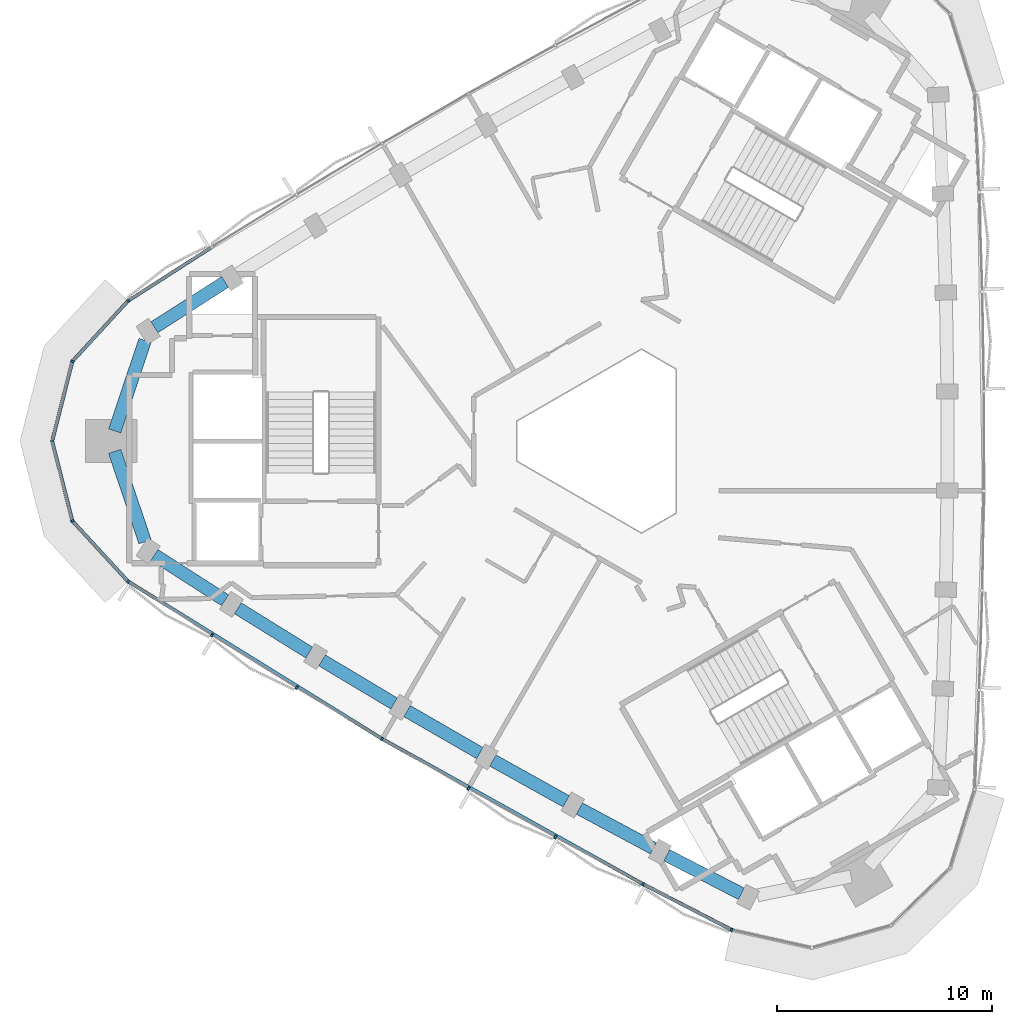
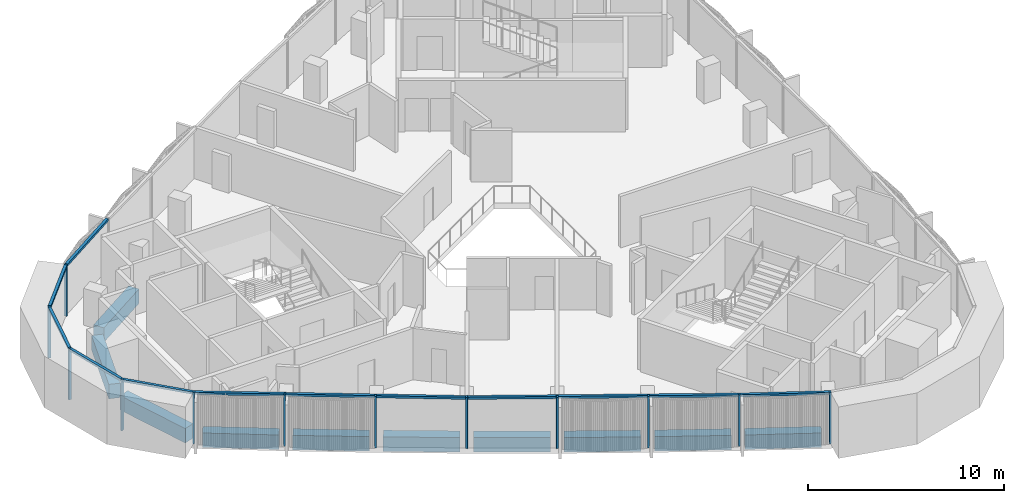
# One storey, part 2 of 13: 20 members, 10 beams, 2 elements without a shape of their own.
"""IFC4 building model written with IfcOpenShell, lengths in metres."""

from ifc_helpers import new_model, si_unit, direction, frame, origin, origin_2d, place, context, subcontext, project, spatial, rectangle, extrude, material, material_profile, profile_set, type_object, element, aggregate, save


model = new_model("IFC4")

# Units and contexts
model_context = context("Model", 3, precision=1e-05, world=origin(), true_north=direction((0.0, 1.0)))
body_context = subcontext(model_context, "Body", "Model", "MODEL_VIEW")
ifc_project = project(units=[si_unit("LENGTHUNIT", "METRE"), si_unit("AREAUNIT", "SQUARE_METRE"), si_unit("VOLUMEUNIT", "CUBIC_METRE"), si_unit("PLANEANGLEUNIT", "RADIAN"), si_unit("MASSUNIT", "GRAM", prefix="KILO")], contexts=[model_context])

# Site, building, storey
site_placement = place(None, origin())
site = spatial("IfcSite", under=ifc_project, at=site_placement, CompositionType="ELEMENT")
building_placement = place(site_placement, origin())
building = spatial("IfcBuilding", under=site, at=building_placement, Name="Tamra Quay Hotel Tower", CompositionType="ELEMENT")
storey_placement = place(building_placement, frame((0.0, 0.0, 298.199951171875)))
storey = spatial("IfcBuildingStorey", under=building, at=storey_placement, Name="L75", CompositionType="ELEMENT", Elevation=298.199951171875)

# Curtain wall, members
ifc_material_1 = material(Name="Aluminium 6063 anodised dark grey", Category="aluminium")
curtain_wall_type_1 = type_object("IfcCurtainWallType", Name="CW2 CURTAIN WALL", PredefinedType="NOTDEFINED", material=ifc_material_1)
curtain_wall_1_placement = place(storey_placement, origin())
curtain_wall_1 = element("IfcCurtainWall", 1, at=curtain_wall_1_placement, inside=storey, type_object=curtain_wall_type_1, Name="CW2 north-west face L75", PredefinedType="NOTDEFINED")
ifc_material_profile_1 = material_profile(ifc_material_1, rectangle(XDim=0.159912109375, YDim=0.10009765625, at=origin_2d()), Name="MULLION 100X160")
ifc_profile_set_1 = profile_set([ifc_material_profile_1], Name="Aluminium 6063 anodised dark grey")
member_type_1 = type_object("IfcMemberType", Name="MULLION CW2 Z6", PredefinedType="MULLION", material=ifc_profile_set_1)
member_1_placement = place(storey_placement, frame((-22.488525390625, 6.530517578125, 0.0), z_axis=(0.0, 0.0, 1.0), x_axis=(-0.643086474198, 0.765793566638, 0.0)))
member_1 = element("IfcMember", 2, at=member_1_placement, type_object=member_type_1, Name="CW2 mullion L75.NW.8", PredefinedType="MULLION", context=body_context, shape_type="SweptSolid", body=[
    extrude(rectangle(XDim=0.159912109375, YDim=0.10009765625, at=origin_2d()), origin(), (0.0, 0.0, 1.0), 3.199951171875),
])
member_2_placement = place(storey_placement, frame((-25.0830078125, 3.712890625, 0.0), z_axis=(0.0, 0.0, 1.0), x_axis=(-0.879433050093, 0.476022594427, 0.0)))
member_2 = element("IfcMember", 3, at=member_2_placement, type_object=member_type_1, Name="CW2 mullion L75.NW.9", PredefinedType="MULLION", context=body_context, shape_type="SweptSolid", body=[
    extrude(rectangle(XDim=0.159912109375, YDim=0.10009765625, at=origin_2d()), origin(), (0.0, 0.0, 1.0), 3.199951171875),
])
member_3_placement = place(storey_placement, frame((-26.0234375, 0.0, 0.0), z_axis=(0.0, 0.0, 1.0), x_axis=(-1.0, 0.0, 0.0)))
member_3 = element("IfcMember", 4, at=member_3_placement, type_object=member_type_1, Name="CW2 mullion L75.NW.10", PredefinedType="MULLION", context=body_context, shape_type="SweptSolid", body=[
    extrude(rectangle(XDim=0.159912109375, YDim=0.10009765625, at=origin_2d()), origin(), (0.0, 0.0, 1.0), 3.199951171875),
])
member_4_placement = place(storey_placement, frame((-25.0830078125, -3.712890625, 0.0), z_axis=(0.0, 0.0, 1.0), x_axis=(-0.879433050093, -0.476022594427, 0.0)))
member_4 = element("IfcMember", 5, at=member_4_placement, type_object=member_type_1, Name="CW2 mullion L75.NW.11", PredefinedType="MULLION", context=body_context, shape_type="SweptSolid", body=[
    extrude(rectangle(XDim=0.159912109375, YDim=0.10009765625, at=origin_2d()), origin(), (0.0, 0.0, 1.0), 3.199951171875),
])

curtain_wall_type_2 = type_object("IfcCurtainWallType", Name="CW3 CURTAIN WALL", PredefinedType="NOTDEFINED", material=ifc_material_1)
curtain_wall_2_placement = place(storey_placement, origin())
curtain_wall_2 = element("IfcCurtainWall", 6, at=curtain_wall_2_placement, inside=storey, type_object=curtain_wall_type_2, Name="CW3 south-west face L75", PredefinedType="NOTDEFINED")
ifc_material_profile_2 = material_profile(ifc_material_1, rectangle(XDim=0.159912109375, YDim=0.10009765625, at=origin_2d()), Name="MULLION 100X160")
ifc_profile_set_2 = profile_set([ifc_material_profile_2], Name="Aluminium 6063 anodised dark grey")
member_type_2 = type_object("IfcMemberType", Name="MULLION CW3 Z6", PredefinedType="MULLION", material=ifc_profile_set_2)
member_5_placement = place(storey_placement, frame((-22.488525390625, -6.530517578125, 0.0), z_axis=(0.0, 0.0, 1.0), x_axis=(-0.643086474198, -0.765793566638, 0.0)))
member_5 = element("IfcMember", 7, at=member_5_placement, type_object=member_type_2, Name="CW3 mullion L75.SW.1", PredefinedType="MULLION", context=body_context, shape_type="SweptSolid", body=[
    extrude(rectangle(XDim=0.159912109375, YDim=0.10009765625, at=origin_2d()), origin(), (0.0, 0.0, 1.0), 3.199951171875),
])
member_6_placement = place(storey_placement, frame((-18.587890625, -9.033203125, 0.0), z_axis=(0.0, 0.0, 1.0), x_axis=(-0.533422294029, -0.845849074146, 0.0)))
member_6 = element("IfcMember", 8, at=member_6_placement, type_object=member_type_2, Name="CW3 mullion L75.SW.2", PredefinedType="MULLION", context=body_context, shape_type="SweptSolid", body=[
    extrude(rectangle(XDim=0.159912109375, YDim=0.10009765625, at=origin_2d()), origin(), (0.0, 0.0, 1.0), 3.199951171875),
])
member_7_placement = place(storey_placement, frame((-14.64990234375, -11.473876953125, 0.0), z_axis=(0.0, 0.0, 1.0), x_axis=(-0.520160390508, -0.854068596862, 0.0)))
member_7 = element("IfcMember", 9, at=member_7_placement, type_object=member_type_2, Name="CW3 mullion L75.SW.3", PredefinedType="MULLION", context=body_context, shape_type="SweptSolid", body=[
    extrude(rectangle(XDim=0.159912109375, YDim=0.10009765625, at=origin_2d()), origin(), (0.0, 0.0, 1.0), 3.199951171875),
])
member_8_placement = place(storey_placement, frame((-10.673583984375, -13.853271484375, 0.0), z_axis=(0.0, 0.0, 1.0), x_axis=(-0.506753957891, -0.862090729658, 0.0)))
member_8 = element("IfcMember", 10, at=member_8_placement, type_object=member_type_2, Name="CW3 mullion L75.SW.4", PredefinedType="MULLION", context=body_context, shape_type="SweptSolid", body=[
    extrude(rectangle(XDim=0.159912109375, YDim=0.10009765625, at=origin_2d()), origin(), (0.0, 0.0, 1.0), 3.199951171875),
])
member_9_placement = place(storey_placement, frame((-6.660400390625, -16.170166015625, 0.0), z_axis=(0.0, 0.0, 1.0), x_axis=(-0.493215493305, -0.869907165831, 0.0)))
member_9 = element("IfcMember", 11, at=member_9_placement, type_object=member_type_2, Name="CW3 mullion L75.SW.5", PredefinedType="MULLION", context=body_context, shape_type="SweptSolid", body=[
    extrude(rectangle(XDim=0.159912109375, YDim=0.10009765625, at=origin_2d()), origin(), (0.0, 0.0, 1.0), 3.199951171875),
])
member_10_placement = place(storey_placement, frame((-2.611572265625, -18.424072265625, 0.0), z_axis=(0.0, 0.0, 1.0), x_axis=(-0.479564906203, -0.877506410654, 0.0)))
member_10 = element("IfcMember", 12, at=member_10_placement, type_object=member_type_2, Name="CW3 mullion L75.SW.6", PredefinedType="MULLION", context=body_context, shape_type="SweptSolid", body=[
    extrude(rectangle(XDim=0.159912109375, YDim=0.10009765625, at=origin_2d()), origin(), (0.0, 0.0, 1.0), 3.199951171875),
])
member_11_placement = place(storey_placement, frame((1.470947265625, -20.6142578125, 0.0), z_axis=(0.0, 0.0, 1.0), x_axis=(-0.465815638963, -0.884881794647, 0.0)))
member_11 = element("IfcMember", 13, at=member_11_placement, type_object=member_type_2, Name="CW3 mullion L75.SW.7", PredefinedType="MULLION", context=body_context, shape_type="SweptSolid", body=[
    extrude(rectangle(XDim=0.159912109375, YDim=0.10009765625, at=origin_2d()), origin(), (0.0, 0.0, 1.0), 3.199951171875),
])
member_12_placement = place(storey_placement, frame((5.588623046875, -22.740966796875, 0.0), z_axis=(0.0, 0.0, 1.0), x_axis=(-0.341653445664, -0.939826006804, 0.0)))
member_12 = element("IfcMember", 14, at=member_12_placement, type_object=member_type_2, Name="CW3 mullion L75.SW.8", PredefinedType="MULLION", context=body_context, shape_type="SweptSolid", body=[
    extrude(rectangle(XDim=0.159912109375, YDim=0.10009765625, at=origin_2d()), origin(), (0.0, 0.0, 1.0), 3.199951171875),
])

# Beams
ifc_material_2 = material(Name="Concrete M60", Category="concrete")
ifc_material_profile_3 = material_profile(ifc_material_2, rectangle(XDim=0.60009765625, YDim=0.89990234375, at=origin_2d()), Name="SPANDREL BEAM RC 600x900")
ifc_profile_set_3 = profile_set([ifc_material_profile_3], Name="Concrete M60")
beam_type = type_object("IfcBeamType", Name="SPANDREL BEAM RC 600x900", PredefinedType="SPANDREL", material=ifc_profile_set_3)
beam_1_placement = place(storey_placement, frame((-17.97607421875, 7.406005859375, -0.800048828125), z_axis=(-0.841679613882, -0.539977247276, 0.0), x_axis=(0.539977247276, -0.841679613882, 0.0)))
element("IfcBeam", 15, at=beam_1_placement, inside=storey, type_object=beam_type, Name="BM-SP6-015-L75", PredefinedType="SPANDREL", context=body_context, shape_type="SweptSolid", body=[
    extrude(rectangle(XDim=0.60009765625, YDim=0.89990234375, at=origin_2d()), origin(), (0.0, 0.0, 1.0), 3.906982421875),
])
for number, where, z_axis, x_axis, name in (
    (16, (-21.70068359375, 4.6845703125, -0.800048828125), (-0.318271531925, -0.947999594919, 0.0), (0.947999594919, -0.318271531925, 0.0), "BM-SP6-016-L75"),
    (17, (-23.114501953125, -0.473388671875, -0.800048828125), (0.318271531925, -0.947999594919, 0.0), (0.947999594919, 0.318271531925, 0.0), "BM-SP6-017-L75"),
):
    element("IfcBeam", number, at=place(storey_placement, frame(where, z_axis=z_axis, x_axis=x_axis)), inside=storey, type_object=beam_type, Name=name, PredefinedType="SPANDREL", context=body_context, shape_type="SweptSolid", body=[
        extrude(rectangle(XDim=0.60009765625, YDim=0.89990234375, at=origin_2d()), origin(), (0.0, 0.0, 1.0), 4.442138671875),
    ])
beam_2_placement = place(storey_placement, frame((-21.264404296875, -5.29638671875, -0.800048828125), z_axis=(0.841679613882, -0.539977247276, 0.0), x_axis=(0.539977247276, 0.841679613882, 0.0)))
element("IfcBeam", 18, at=beam_2_placement, inside=storey, type_object=beam_type, Name="BM-SP6-018-L75", PredefinedType="SPANDREL", context=body_context, shape_type="SweptSolid", body=[
    extrude(rectangle(XDim=0.60009765625, YDim=0.89990234375, at=origin_2d()), origin(), (0.0, 0.0, 1.0), 3.906982421875),
])
beam_3_placement = place(storey_placement, frame((-17.384033203125, -7.779296875, -0.800048828125), z_axis=(0.849972078006, -0.526827739029, 0.0), x_axis=(0.526827739029, 0.849972078006, 0.0)))
element("IfcBeam", 19, at=beam_3_placement, inside=storey, type_object=beam_type, Name="BM-SP6-019-L75", PredefinedType="SPANDREL", context=body_context, shape_type="SweptSolid", body=[
    extrude(rectangle(XDim=0.60009765625, YDim=0.89990234375, at=origin_2d()), origin(), (0.0, 0.0, 1.0), 3.907470703125),
])
beam_4_placement = place(storey_placement, frame((-13.465087890625, -10.201904296875, -0.800048828125), z_axis=(0.858120821909, -0.513447811376, 0.0), x_axis=(0.513447811376, 0.858120821909, 0.0)))
element("IfcBeam", 20, at=beam_4_placement, inside=storey, type_object=beam_type, Name="BM-SP6-020-L75", PredefinedType="SPANDREL", context=body_context, shape_type="SweptSolid", body=[
    extrude(rectangle(XDim=0.60009765625, YDim=0.89990234375, at=origin_2d()), origin(), (0.0, 0.0, 1.0), 3.9072265625),
])
for number, where, z_axis, x_axis, name in (
    (21, (-9.5087890625, -12.562744140625, -0.800048828125), (0.866011803689, -0.500023555316, 0.0), (0.500023555316, 0.866011803689, 0.0), "BM-SP6-021-L75"),
    (22, (-5.516357421875, -14.861572265625, -0.800048828125), (0.873726581477, -0.486417373066, 0.0), (0.486417373066, 0.873726581477, 0.0), "BM-SP6-022-L75"),
):
    element("IfcBeam", number, at=place(storey_placement, frame(where, z_axis=z_axis, x_axis=x_axis)), inside=storey, type_object=beam_type, Name=name, PredefinedType="SPANDREL", context=body_context, shape_type="SweptSolid", body=[
        extrude(rectangle(XDim=0.60009765625, YDim=0.89990234375, at=origin_2d()), origin(), (0.0, 0.0, 1.0), 3.906982421875),
    ])
beam_5_placement = place(storey_placement, frame((-1.488525390625, -17.09765625, -0.800048828125), z_axis=(0.88123835064, -0.472672158437, 0.0), x_axis=(0.472672158437, 0.88123835064, 0.0)))
element("IfcBeam", 23, at=beam_5_placement, inside=storey, type_object=beam_type, Name="BM-SP6-023-L75", PredefinedType="SPANDREL", context=body_context, shape_type="SweptSolid", body=[
    extrude(rectangle(XDim=0.60009765625, YDim=0.89990234375, at=origin_2d()), origin(), (0.0, 0.0, 1.0), 3.907470703125),
])
beam_6_placement = place(storey_placement, frame((2.57421875, -19.270751953125, -0.800048828125), z_axis=(0.888476019227, -0.458923047208, 0.0), x_axis=(0.458923047208, 0.888476019227, 0.0)))
element("IfcBeam", 24, at=beam_6_placement, inside=storey, type_object=beam_type, Name="BM-SP6-024-L75", PredefinedType="SPANDREL", context=body_context, shape_type="SweptSolid", body=[
    extrude(rectangle(XDim=0.60009765625, YDim=0.89990234375, at=origin_2d()), origin(), (0.0, 0.0, 1.0), 3.906982421875),
])

# Member
ifc_material_profile_4 = material_profile(ifc_material_1, rectangle(XDim=0.159912109375, YDim=0.139892578125, at=origin_2d()), Name="TRANSOM 160X140")
ifc_profile_set_4 = profile_set([ifc_material_profile_4], Name="Aluminium 6063 anodised dark grey")
member_type_3 = type_object("IfcMemberType", Name="TRANSOM CW2 Z6", PredefinedType="USERDEFINED", material=ifc_profile_set_4)
member_13_placement = place(storey_placement, frame((-18.6298828125, 9.006103515625, 3.130126953125), z_axis=(-0.841671458023, -0.539989959859, 0.0), x_axis=(0.539989959859, -0.841671458023, 0.0)))
member_13 = element("IfcMember", 25, at=member_13_placement, type_object=member_type_3, Name="CW2 transom L75.NW.7", ObjectType="TRANSOM", PredefinedType="USERDEFINED", context=body_context, shape_type="SweptSolid", body=[
    extrude(rectangle(XDim=0.159912109375, YDim=0.139892578125, at=origin_2d()), origin(), (0.0, 0.0, 1.0), 4.534423828125),
])

member_14_placement = place(storey_placement, frame((-22.522216796875, 6.493896484375, 3.130126953125), z_axis=(-0.677382568032, -0.735630924123, 0.0), x_axis=(0.735630924123, -0.677382568032, 0.0)))
member_14 = element("IfcMember", 26, at=member_14_placement, type_object=member_type_3, Name="CW2 transom L75.NW.8", ObjectType="TRANSOM", PredefinedType="USERDEFINED", context=body_context, shape_type="SweptSolid", body=[
    extrude(rectangle(XDim=0.159912109375, YDim=0.139892578125, at=origin_2d()), origin(), (0.0, 0.0, 1.0), 3.730224609375),
])

member_15_placement = place(storey_placement, frame((-25.09521484375, 3.66455078125, 3.130126953125), z_axis=(-0.245506732561, -0.96939488562, 0.0), x_axis=(0.96939488562, -0.245506732561, 0.0)))
member_15 = element("IfcMember", 27, at=member_15_placement, type_object=member_type_3, Name="CW2 transom L75.NW.9", ObjectType="TRANSOM", PredefinedType="USERDEFINED", context=body_context, shape_type="SweptSolid", body=[
    extrude(rectangle(XDim=0.159912109375, YDim=0.139892578125, at=origin_2d()), origin(), (0.0, 0.0, 1.0), 3.730224609375),
])

member_16_placement = place(storey_placement, frame((-26.010986328125, -0.048583984375, 3.130126953125), z_axis=(0.245506732561, -0.96939488562, 0.0), x_axis=(0.96939488562, 0.245506732561, 0.0)))
member_16 = element("IfcMember", 28, at=member_16_placement, type_object=member_type_3, Name="CW2 transom L75.NW.10", ObjectType="TRANSOM", PredefinedType="USERDEFINED", context=body_context, shape_type="SweptSolid", body=[
    extrude(rectangle(XDim=0.159912109375, YDim=0.139892578125, at=origin_2d()), origin(), (0.0, 0.0, 1.0), 3.730224609375),
])

member_17_placement = place(storey_placement, frame((-25.049072265625, -3.749755859375, 3.130126953125), z_axis=(0.677382568032, -0.735630924123, 0.0), x_axis=(0.735630924123, 0.677382568032, 0.0)))
member_17 = element("IfcMember", 29, at=member_17_placement, type_object=member_type_3, Name="CW2 transom L75.NW.11", ObjectType="TRANSOM", PredefinedType="USERDEFINED", context=body_context, shape_type="SweptSolid", body=[
    extrude(rectangle(XDim=0.159912109375, YDim=0.139892578125, at=origin_2d()), origin(), (0.0, 0.0, 1.0), 3.730224609375),
])

aggregate(curtain_wall_1, [member_13, member_1, member_14, member_2, member_15, member_3, member_16, member_4, member_17])

ifc_material_profile_5 = material_profile(ifc_material_1, rectangle(XDim=0.159912109375, YDim=0.139892578125, at=origin_2d()), Name="TRANSOM 160X140")
ifc_profile_set_5 = profile_set([ifc_material_profile_5], Name="Aluminium 6063 anodised dark grey")
member_type_4 = type_object("IfcMemberType", Name="TRANSOM CW3 Z6", PredefinedType="USERDEFINED", material=ifc_profile_set_5)
member_18_placement = place(storey_placement, frame((-22.4462890625, -6.5576171875, 3.130126953125), z_axis=(0.849981120272, -0.52681315016, 0.0), x_axis=(0.52681315016, 0.849981120272, 0.0)))
member_18 = element("IfcMember", 30, at=member_18_placement, type_object=member_type_4, Name="CW3 transom L75.SW.1", ObjectType="TRANSOM", PredefinedType="USERDEFINED", context=body_context, shape_type="SweptSolid", body=[
    extrude(rectangle(XDim=0.159912109375, YDim=0.139892578125, at=origin_2d()), origin(), (0.0, 0.0, 1.0), 13.800048828125),
])

member_19_placement = place(storey_placement, frame((-10.63037109375, -13.878173828125, 3.130126953125), z_axis=(0.873726321202, -0.486417840585, 0.0), x_axis=(0.486417840585, 0.873726321202, 0.0)))
member_19 = element("IfcMember", 31, at=member_19_placement, type_object=member_type_4, Name="CW3 transom L75.SW.4", ObjectType="TRANSOM", PredefinedType="USERDEFINED", context=body_context, shape_type="SweptSolid", body=[
    extrude(rectangle(XDim=0.159912109375, YDim=0.139892578125, at=origin_2d()), origin(), (0.0, 0.0, 1.0), 13.799560546875),
])

member_20_placement = place(storey_placement, frame((1.515380859375, -20.63720703125, 3.130126953125), z_axis=(0.888492499953, -0.45889113908, 0.0), x_axis=(0.45889113908, 0.888492499953, 0.0)))
member_20 = element("IfcMember", 32, at=member_20_placement, type_object=member_type_4, Name="CW3 transom L75.SW.7", ObjectType="TRANSOM", PredefinedType="USERDEFINED", context=body_context, shape_type="SweptSolid", body=[
    extrude(rectangle(XDim=0.159912109375, YDim=0.139892578125, at=origin_2d()), origin(), (0.0, 0.0, 1.0), 4.534423828125),
])

aggregate(curtain_wall_2, [member_5, member_18, member_6, member_7, member_8, member_19, member_9, member_10, member_11, member_20, member_12])

save(model, "model.ifc")
